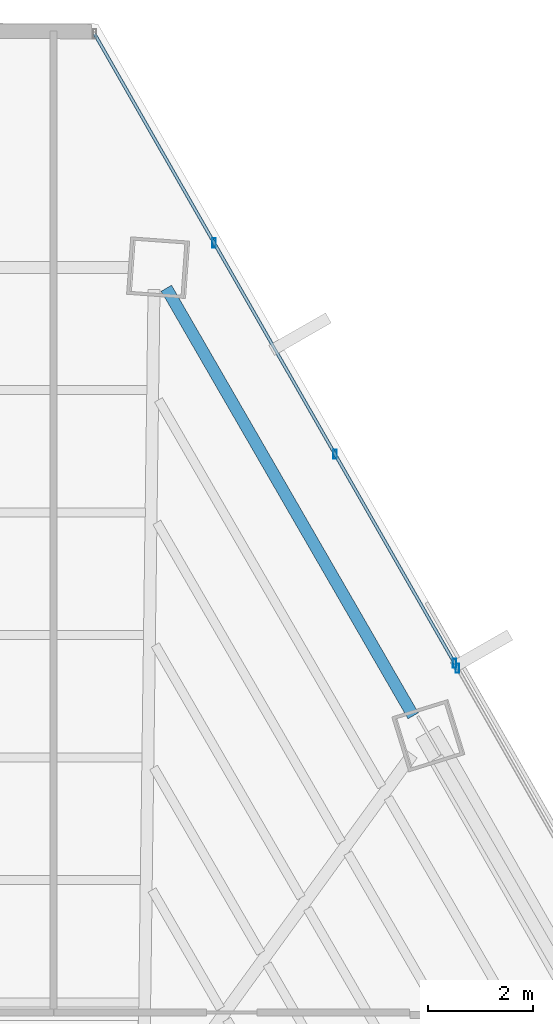
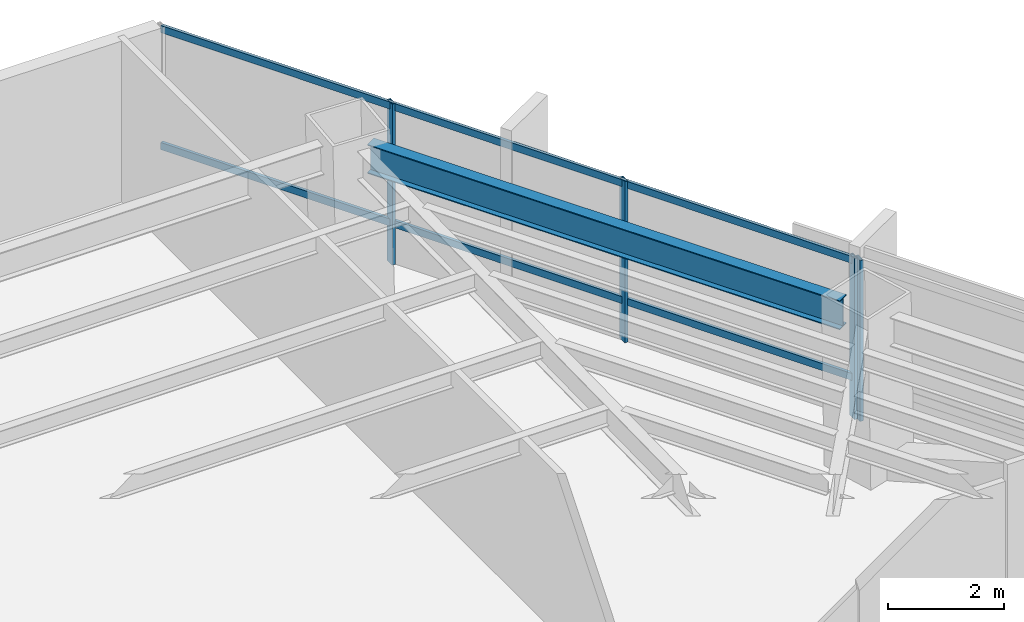
# One storey, part 28 of 35: 6 members, 1 beam, 2 elements without a shape of their own.
"""IFC4 building model written with IfcOpenShell, lengths in metres."""

from ifc_helpers import new_model, si_unit, direction, frame, origin, origin_2d, place, context, subcontext, project, spatial, hollow_rectangle, i_section, extrude, source, transform, mapped, material, material_profile, profile_set, type_object, type_shapes, element, aggregate, save


model = new_model("IFC4")

# Units and contexts
model_context = context("Model", 3, precision=1e-05, world=origin(), true_north=direction((0.0, 1.0)))
body_context = subcontext(model_context, "Body", "Model", "MODEL_VIEW")
ifc_project = project(units=[si_unit("LENGTHUNIT", "METRE"), si_unit("AREAUNIT", "SQUARE_METRE"), si_unit("VOLUMEUNIT", "CUBIC_METRE"), si_unit("PLANEANGLEUNIT", "RADIAN"), si_unit("MASSUNIT", "GRAM", prefix="KILO")], contexts=[model_context])

# Site, building, storey
site_placement = place(None, origin())
site = spatial("IfcSite", under=ifc_project, at=site_placement, CompositionType="ELEMENT")
building_placement = place(site_placement, origin())
building = spatial("IfcBuilding", under=site, at=building_placement, Name="Caelisora Broadcast Tower", CompositionType="ELEMENT")
storey_placement = place(building_placement, frame((0.0, 0.0, 90.800048828125)))
storey = spatial("IfcBuildingStorey", under=building, at=storey_placement, Name="L23", CompositionType="ELEMENT", Elevation=90.800048828125)

# Beam
ifc_material_1 = material(Name="Steel Grade 350 (AS/NZS 3679.1)", Category="steel")
ifc_material_profile_1 = material_profile(ifc_material_1, i_section(OverallWidth=0.22900390625, OverallDepth=0.611572265625, WebThickness=0.011962890625, FlangeThickness=0.01953125, at=origin_2d()), Name="Steel Grade 350 (AS/NZS 3679.1)")
ifc_profile_set_1 = profile_set([ifc_material_profile_1], Name="Steel Grade 350 (AS/NZS 3679.1)")
beam_type = type_object("IfcBeamType", Name="PG03", PredefinedType="BEAM", material=ifc_profile_set_1)
shared_shape_1 = source(origin(), body_context, "Body", "SweptSolid", [
    extrude(i_section(OverallWidth=0.22900390625, OverallDepth=0.611572265625, WebThickness=0.011962890625, FlangeThickness=0.01953125, at=origin_2d()), origin(), (0.0, 0.0, 1.0), 9.43505859375),
])
type_shapes(beam_type, [shared_shape_1])
beam_placement = place(storey_placement, frame((50.662109375, 37.8203125, 3.09423828125), z_axis=(-0.500004680807, 0.866022701302, 0.0), x_axis=(-0.866022701302, -0.500004680807, 0.0)))
element("IfcBeam", 1, at=beam_placement, inside=storey, type_object=beam_type, Name="L23 beam PG03", PredefinedType="BEAM", context=body_context, shape_type="MappedRepresentation", body=[
    mapped(shared_shape_1, transform((0.0, 0.0, 0.0), scale=1.0)),
])

# Curtain wall, members
ifc_material_2 = material(Name="Unitised Aluminium and Low-E Glass Curtain Wall", Category="glass")
curtain_wall_type_1 = type_object("IfcCurtainWallType", Name="CW-Z2", PredefinedType="NOTDEFINED", material=ifc_material_2)
curtain_wall_1_placement = place(storey_placement, origin())
curtain_wall_1 = element("IfcCurtainWall", 2, at=curtain_wall_1_placement, inside=storey, type_object=curtain_wall_type_1, Name="L23 curtain wall CW-Z2", PredefinedType="NOTDEFINED")
ifc_material_3 = material(Name="Aluminium 6063-T6 Anodised Terracotta Bronze", Category="aluminium")
ifc_material_profile_2 = material_profile(ifc_material_3, hollow_rectangle(XDim=0.06494140625, YDim=0.179931640625, WallThickness=0.00341796875, at=origin_2d()), Name="Aluminium 6063-T6 Anodised Terracotta Bronze")
ifc_profile_set_2 = profile_set([ifc_material_profile_2], Name="Aluminium 6063-T6 Anodised Terracotta Bronze")
member_type_1 = type_object("IfcMemberType", Name="CWM-02", PredefinedType="MULLION", material=ifc_profile_set_2)
shared_shape_2 = source(origin(), body_context, "Body", "SweptSolid", [
    extrude(hollow_rectangle(XDim=0.06494140625, YDim=0.179931640625, WallThickness=0.00341796875, at=origin_2d()), origin(), (0.0, 0.0, 1.0), 3.39990234375),
])
type_shapes(member_type_1, [shared_shape_2])
member_1_placement = place(storey_placement, frame((46.858154296875, 46.85791015625, 0.0), z_axis=(0.0, 0.0, 1.0), x_axis=(1.0, 0.0, 0.0)))
member_1 = element("IfcMember", 3, at=member_1_placement, type_object=member_type_1, Name="L23-CW-B01 mullion #1", PredefinedType="MULLION", context=body_context, shape_type="MappedRepresentation", body=[
    mapped(shared_shape_2, transform((0.0, 0.0, 0.0), scale=1.0)),
])
member_2_placement = place(storey_placement, frame((49.168212890625, 42.819580078125, 0.0), z_axis=(0.0, 0.0, 1.0), x_axis=(1.0, 0.0, 0.0)))
member_2 = element("IfcMember", 4, at=member_2_placement, type_object=member_type_1, Name="L23-CW-B01 mullion #2", PredefinedType="MULLION", context=body_context, shape_type="MappedRepresentation", body=[
    mapped(shared_shape_2, transform((0.0, 0.0, 0.0), scale=1.0)),
])
member_3_placement = place(storey_placement, frame((51.45361328125, 38.82470703125, 0.0), z_axis=(0.0, 0.0, 1.0), x_axis=(1.0, 0.0, 0.0)))
member_3 = element("IfcMember", 5, at=member_3_placement, type_object=member_type_1, Name="L23-CW-B01 mullion #3", PredefinedType="MULLION", context=body_context, shape_type="MappedRepresentation", body=[
    mapped(shared_shape_2, transform((0.0, 0.0, 0.0), scale=1.0)),
])

# Curtain wall, member
ifc_material_4 = material(Name="Unitised Aluminium Insulated Shadow-Box Spandrel Curtain Wall", Category="aluminium")
curtain_wall_type_2 = type_object("IfcCurtainWallType", Name="CW-SP1", PredefinedType="NOTDEFINED", material=ifc_material_4)
curtain_wall_2_placement = place(storey_placement, origin())
curtain_wall_2 = element("IfcCurtainWall", 6, at=curtain_wall_2_placement, inside=storey, type_object=curtain_wall_type_2, Name="L23 curtain wall CW-SP1", PredefinedType="NOTDEFINED")
member_4_placement = place(storey_placement, frame((51.50830078125, 38.729248046875, 0.0), z_axis=(0.0, 0.0, 1.0), x_axis=(1.0, 0.0, 0.0)))
member_4 = element("IfcMember", 7, at=member_4_placement, type_object=member_type_1, Name="L23-CW-B02 mullion #0", PredefinedType="MULLION", context=body_context, shape_type="MappedRepresentation", body=[
    mapped(shared_shape_2, transform((0.0, 0.0, 0.0), scale=1.0)),
])
aggregate(curtain_wall_2, [member_4])

# Member
ifc_material_profile_3 = material_profile(ifc_material_3, hollow_rectangle(XDim=0.06005859375, YDim=0.14990234375, WallThickness=0.00341796875, at=origin_2d()), Name="Aluminium 6063-T6 Anodised Terracotta Bronze")
ifc_profile_set_3 = profile_set([ifc_material_profile_3], Name="Aluminium 6063-T6 Anodised Terracotta Bronze")
member_type_2 = type_object("IfcMemberType", Name="CWT-02", PredefinedType="USERDEFINED", material=ifc_profile_set_3)
shared_shape_3 = source(origin(), body_context, "Body", "SweptSolid", [
    extrude(hollow_rectangle(XDim=0.06005859375, YDim=0.14990234375, WallThickness=0.00341796875, at=origin_2d()), origin(), (0.0, 0.0, 1.0), 13.85693359375),
])
type_shapes(member_type_2, [shared_shape_3])
member_5_placement = place(storey_placement, frame((44.57275390625, 50.8525390625, 0.849853515625), z_axis=(0.496563894846, -0.868000171852, 0.0), x_axis=(0.868000171852, 0.496563894846, 0.0)))
member_5 = element("IfcMember", 8, at=member_5_placement, type_object=member_type_2, Name="L23-CW-B01 transom #1", ObjectType="TRANSOM", PredefinedType="USERDEFINED", context=body_context, shape_type="MappedRepresentation", body=[
    mapped(shared_shape_3, transform((0.0, 0.0, 0.0), scale=1.0)),
])

member_6_placement = place(storey_placement, frame((44.57275390625, 50.8525390625, 3.320068359375), z_axis=(0.496563894846, -0.868000171852, 0.0), x_axis=(0.868000171852, 0.496563894846, 0.0)))
member_6 = element("IfcMember", 9, at=member_6_placement, type_object=member_type_2, Name="L23-CW-B01 transom #2", ObjectType="TRANSOM", PredefinedType="USERDEFINED", context=body_context, shape_type="MappedRepresentation", body=[
    mapped(shared_shape_3, transform((0.0, 0.0, 0.0), scale=1.0)),
])

aggregate(curtain_wall_1, [member_1, member_2, member_3, member_5, member_6])

save(model, "model.ifc")
